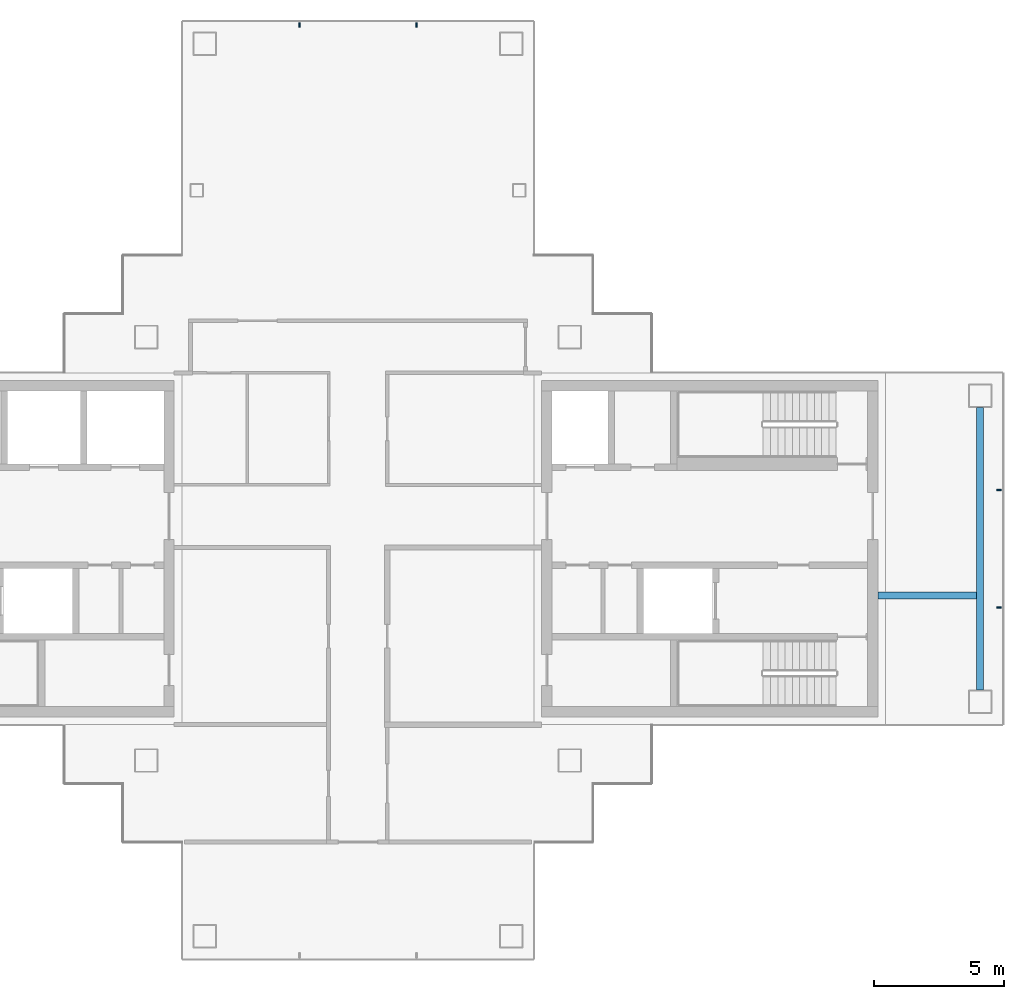
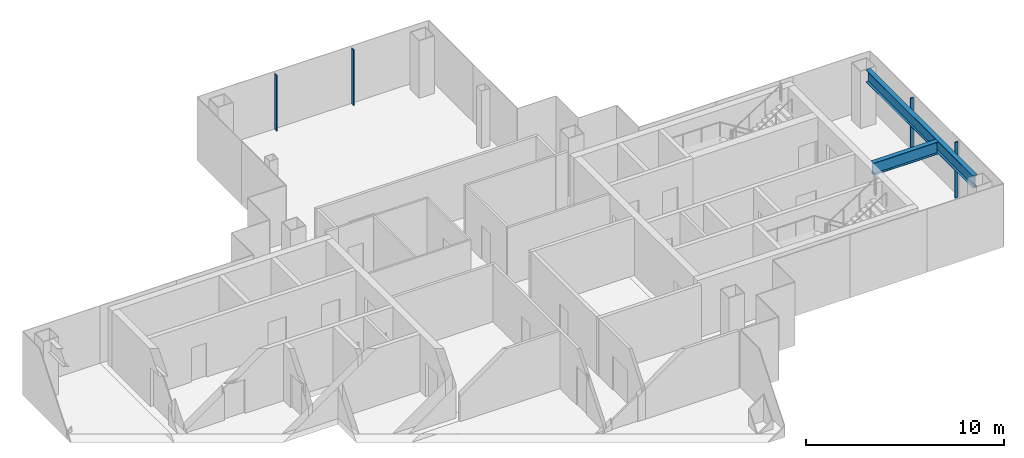
# One storey, part 6 of 16: 4 members, 2 beams, 2 elements without a shape of their own.
"""IFC4 building model written with IfcOpenShell, lengths in metres."""

from ifc_helpers import new_model, si_unit, direction, frame, origin, origin_2d, place, context, subcontext, project, spatial, rectangle, i_section, extrude, material, layer, layer_set, material_profile, profile_set, type_object, element, aggregate, save


model = new_model("IFC4")

# Units and contexts
model_context = context("Model", 3, precision=1e-05, world=origin(), true_north=direction((0.0, 1.0)))
body_context = subcontext(model_context, "Body", "Model", "MODEL_VIEW")
ifc_project = project(units=[si_unit("LENGTHUNIT", "METRE"), si_unit("AREAUNIT", "SQUARE_METRE"), si_unit("VOLUMEUNIT", "CUBIC_METRE"), si_unit("PLANEANGLEUNIT", "RADIAN"), si_unit("MASSUNIT", "GRAM", prefix="KILO")], contexts=[model_context])

# Site, building, storey
site_placement = place(None, origin())
site = spatial("IfcSite", under=ifc_project, at=site_placement, CompositionType="ELEMENT")
building_placement = place(site_placement, origin())
building = spatial("IfcBuilding", under=site, at=building_placement, Name="Shamsa Quay Exchange Towers", CompositionType="ELEMENT")
storey_placement = place(building_placement, frame((0.0, 0.0, 261.60009765625)))
storey = spatial("IfcBuildingStorey", under=building, at=storey_placement, Name="L63", CompositionType="ELEMENT", Elevation=261.60009765625)

# Curtain wall, members
ifc_material_1 = material(Name="Aluminium EN AW-6063 T6, black anodised", Category="aluminium")
ifc_layer = layer(ifc_material_1, 0.280029296875)
ifc_layer_set = layer_set([ifc_layer], Name="CW-1 UNITISED VISION GLASS")
curtain_wall_type = type_object("IfcCurtainWallType", Name="CW-1 UNITISED VISION GLASS", PredefinedType="NOTDEFINED", material=ifc_layer_set)
curtain_wall_1_placement = place(storey_placement, origin())
curtain_wall_1 = element("IfcCurtainWall", 1, at=curtain_wall_1_placement, inside=storey, type_object=curtain_wall_type, Name="CW1 T2-END-V- L63", PredefinedType="NOTDEFINED")
ifc_material_profile_1 = material_profile(ifc_material_1, rectangle(XDim=0.179931640625, YDim=0.06005859375, at=origin_2d()), Name="MU60x180")
ifc_profile_set_1 = profile_set([ifc_material_profile_1], Name="Aluminium EN AW-6063 T6, black anodised")
member_type = type_object("IfcMemberType", Name="CW1 MULLION 60x180", PredefinedType="MULLION", material=ifc_profile_set_1)
member_1_placement = place(storey_placement, frame((58.35009765625, -2.25, 0.0), z_axis=(0.0, 0.0, 1.0), x_axis=(-1.0, 0.0, 0.0)))
member_1 = element("IfcMember", 2, at=member_1_placement, type_object=member_type, Name="CW1 mullion", PredefinedType="MULLION", context=body_context, shape_type="SweptSolid", body=[
    extrude(rectangle(XDim=0.179931640625, YDim=0.06005859375, at=origin_2d()), origin(), (0.0, 0.0, 1.0), 3.449951171875),
])
member_2_placement = place(storey_placement, frame((58.35009765625, 2.25, 0.0), z_axis=(0.0, 0.0, 1.0), x_axis=(-1.0, 0.0, 0.0)))
member_2 = element("IfcMember", 3, at=member_2_placement, type_object=member_type, Name="CW1 mullion", PredefinedType="MULLION", context=body_context, shape_type="SweptSolid", body=[
    extrude(rectangle(XDim=0.179931640625, YDim=0.06005859375, at=origin_2d()), origin(), (0.0, 0.0, 1.0), 3.449951171875),
])
aggregate(curtain_wall_1, [member_1, member_2])

curtain_wall_2_placement = place(storey_placement, origin())
curtain_wall_2 = element("IfcCurtainWall", 4, at=curtain_wall_2_placement, inside=storey, type_object=curtain_wall_type, Name="CW1 T2-END-U+ L63", PredefinedType="NOTDEFINED")
member_3_placement = place(storey_placement, frame((36.0, 20.10009765625, 0.0), z_axis=(0.0, 0.0, 1.0), x_axis=(0.0, -1.0, 0.0)))
member_3 = element("IfcMember", 5, at=member_3_placement, type_object=member_type, Name="CW1 mullion", PredefinedType="MULLION", context=body_context, shape_type="SweptSolid", body=[
    extrude(rectangle(XDim=0.179931640625, YDim=0.06005859375, at=origin_2d()), origin(), (0.0, 0.0, 1.0), 3.449951171875),
])
member_4_placement = place(storey_placement, frame((31.5, 20.10009765625, 0.0), z_axis=(0.0, 0.0, 1.0), x_axis=(0.0, -1.0, 0.0)))
member_4 = element("IfcMember", 6, at=member_4_placement, type_object=member_type, Name="CW1 mullion", PredefinedType="MULLION", context=body_context, shape_type="SweptSolid", body=[
    extrude(rectangle(XDim=0.179931640625, YDim=0.06005859375, at=origin_2d()), origin(), (0.0, 0.0, 1.0), 3.449951171875),
])
aggregate(curtain_wall_2, [member_3, member_4])

# Beams
ifc_material_2 = material(Name="Steel S355", Category="steel")
ifc_material_profile_2 = material_profile(ifc_material_2, i_section(OverallWidth=0.26611328125, OverallDepth=0.7578125, WebThickness=0.013916015625, FlangeThickness=0.019287109375, at=origin_2d()), Name="W30x108")
ifc_profile_set_2 = profile_set([ifc_material_profile_2], Name="Steel S355")
beam_type = type_object("IfcBeamType", Name="End-zone beam W30x108", PredefinedType="BEAM", material=ifc_profile_set_2)
beam_1_placement = place(storey_placement, frame((57.625, -5.425048828125, 3.171142578125), z_axis=(0.0, 1.0, 0.0), x_axis=(-1.0, 0.0, 0.0)))
element("IfcBeam", 7, at=beam_1_placement, inside=storey, type_object=beam_type, Name="End beam T2 V- end zone L63", PredefinedType="BEAM", context=body_context, shape_type="SweptSolid", body=[
    extrude(i_section(OverallWidth=0.26611328125, OverallDepth=0.7578125, WebThickness=0.013916015625, FlangeThickness=0.019287109375, at=origin_2d()), origin(), (0.0, 0.0, 1.0), 10.85009765625),
])
beam_2_placement = place(storey_placement, frame((53.699951171875, -1.800048828125, 3.171142578125), z_axis=(1.0, 0.0, 0.0), x_axis=(0.0, 1.0, 0.0)))
element("IfcBeam", 8, at=beam_2_placement, inside=storey, type_object=beam_type, Name="Spine beam T2 V- end zone L63", PredefinedType="BEAM", context=body_context, shape_type="SweptSolid", body=[
    extrude(i_section(OverallWidth=0.26611328125, OverallDepth=0.7578125, WebThickness=0.013916015625, FlangeThickness=0.019287109375, at=origin_2d()), origin(), (0.0, 0.0, 1.0), 3.7919921875),
])

save(model, "model.ifc")
